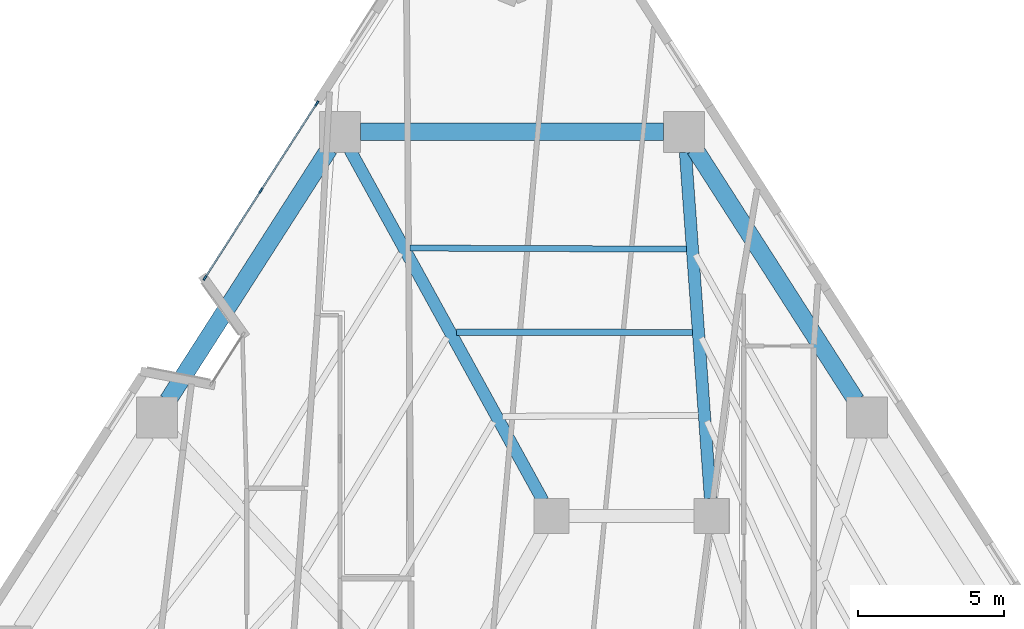
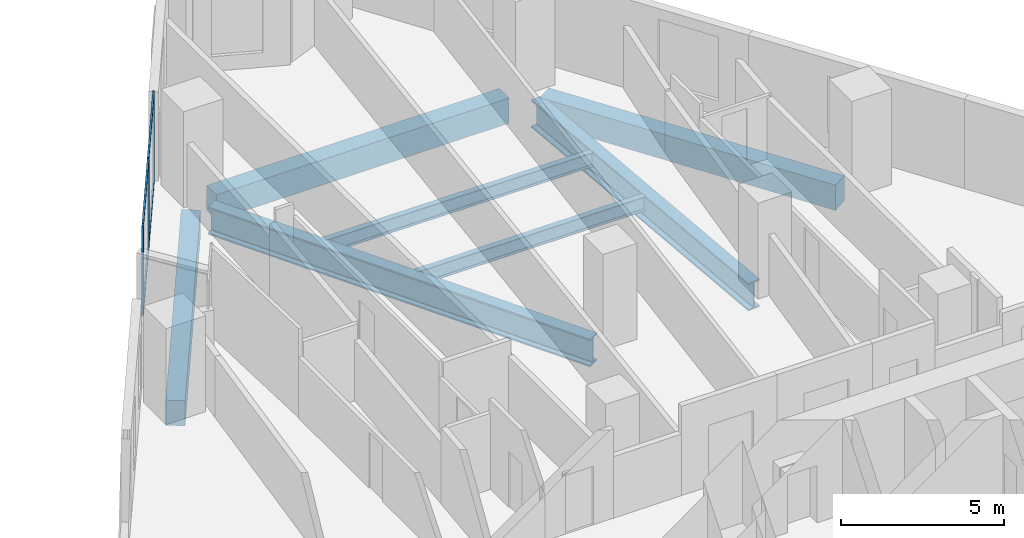
# One storey, part 5 of 14: 7 beams, 7 members, 1 element without a shape of its own.
"""IFC4 building model written with IfcOpenShell, lengths in metres."""

import ifcopenshell
import ifcopenshell.guid

model = None  # the IFC model being written
_history = None  # IfcOwnerHistory: only IFC2X3 demands one
_inside = {}  # id of a spatial element -> (the spatial element, [elements in it])
_under = {}  # id of a project, library or spatial element -> (it, [spatial elements below it])
_declared = {}  # id of a project -> (the project, [libraries it declares])
_typed = {}  # id of a type object -> (the type object, [elements of that type])
_made_of = {}  # id of a material, layer set ... -> (it, [elements and type objects made of it])


def new_model(schema):
    """Start an empty IFC model of exactly this schema.

    Asked for "IFC4X3", IfcOpenShell would pick the latest addendum, in which some entities
    have other attributes; the version numbers below select the first issue.
    IFC2X3 requires an IfcOwnerHistory on every rooted entity: one is made here for all.
    """
    global model, _history
    if schema == "IFC4X3":
        model = ifcopenshell.file(schema_version=(4, 3, 0, 0))
    else:
        model = ifcopenshell.file(schema=schema)
    _inside.clear()
    _under.clear()
    _declared.clear()
    _typed.clear()
    _made_of.clear()
    _history = None
    if model.schema == "IFC2X3":
        org = make("IfcOrganization", Name="unknown")
        user = make(
            "IfcPersonAndOrganization",
            ThePerson=make("IfcPerson", FamilyName="unknown"),
            TheOrganization=org,
        )
        app = make(
            "IfcApplication",
            ApplicationDeveloper=org,
            Version="unknown",
            ApplicationFullName="unknown",
            ApplicationIdentifier="unknown",
        )
        _history = make(
            "IfcOwnerHistory",
            OwningUser=user,
            OwningApplication=app,
            ChangeAction="ADDED",
            CreationDate=0,
        )
    return model


def make(cls, **values):
    """One entity of the class cls with the attributes given. An attribute that is None is left unset."""
    return model.create_entity(
        cls, **{name: value for name, value in values.items() if value is not None}
    )


def rooted(cls, **values):
    """An entity with a GlobalId (a new one), such as an element, a storey or a relation."""
    return make(cls, GlobalId=ifcopenshell.guid.new(), OwnerHistory=_history, **values)


def si_unit(unit_type, name, prefix=None):
    """IfcSIUnit, for example si_unit("LENGTHUNIT", "METRE", prefix="MILLI")."""
    return make("IfcSIUnit", UnitType=unit_type, Prefix=prefix, Name=name)


def assignment(units):
    """IfcUnitAssignment: the units of a project."""
    return None if units is None else make("IfcUnitAssignment", Units=units)


def point(xyz):
    """IfcCartesianPoint."""
    return None if xyz is None else make("IfcCartesianPoint", Coordinates=xyz)


def direction(xyz):
    """IfcDirection."""
    return None if xyz is None else make("IfcDirection", DirectionRatios=xyz)


def frame(location, z_axis=None, x_axis=None):
    """IfcAxis2Placement3D, a coordinate frame: its origin and axes. An axis left out is left unset."""
    return make(
        "IfcAxis2Placement3D",
        Location=point(location),
        Axis=direction(z_axis),
        RefDirection=direction(x_axis),
    )


def frame_2d(location, x_axis=None):
    """IfcAxis2Placement2D, a coordinate frame in the plane: its origin and x axis."""
    return make(
        "IfcAxis2Placement2D", Location=point(location), RefDirection=direction(x_axis)
    )


def origin():
    """The frame at (0, 0, 0) with its axes left unset."""
    return frame((0.0, 0.0, 0.0))


def origin_2d():
    """The frame at (0, 0) in the plane with its x axis left unset."""
    return frame_2d((0.0, 0.0))


def place(relative_to, where):
    """IfcLocalPlacement: puts the frame where relative to a parent placement (None: the world)."""
    return make(
        "IfcLocalPlacement", PlacementRelTo=relative_to, RelativePlacement=where
    )


def context(
    kind, dimensions, precision=None, world=None, true_north=None, identifier=None
):
    """IfcGeometricRepresentationContext, for example the 3D "Model" context."""
    return make(
        "IfcGeometricRepresentationContext",
        ContextIdentifier=identifier,
        ContextType=kind,
        CoordinateSpaceDimension=dimensions,
        Precision=precision,
        WorldCoordinateSystem=world,
        TrueNorth=true_north,
    )


def subcontext(parent, identifier, kind, view, scale=None):
    """IfcGeometricRepresentationSubContext, for example "Body" below "Model"."""
    return make(
        "IfcGeometricRepresentationSubContext",
        ContextIdentifier=identifier,
        ContextType=kind,
        ParentContext=parent,
        TargetScale=scale,
        TargetView=view,
    )


def project(units=None, contexts=None):
    """IfcProject with its units and contexts."""
    return rooted(
        "IfcProject",
        Name="project",
        RepresentationContexts=contexts,
        UnitsInContext=assignment(units),
    )


def spatial(cls, under=None, at=None, **own):
    """A site, building, storey or space (cls), placed at a placement, below another one or the project."""
    s = rooted(cls, ObjectPlacement=at, **own)
    if under is not None:
        _under.setdefault(under.id(), (under, []))[1].append(s)
    return s


def profile(cls, at=None, kind="AREA", **sizes):
    """A parametric profile (cls). Its sizes go by their IFC names, for example OverallWidth=200.0."""
    return make(cls, ProfileType=kind, Position=at, **sizes)


def rectangle(**sizes):
    """IfcRectangleProfileDef."""
    return profile("IfcRectangleProfileDef", **sizes)


def i_section(**sizes):
    """IfcIShapeProfileDef."""
    return profile("IfcIShapeProfileDef", **sizes)


def extrude(swept, where, along, depth):
    """IfcExtrudedAreaSolid: the profile swept, set in the frame where, extruded along a direction by depth."""
    return make(
        "IfcExtrudedAreaSolid",
        SweptArea=swept,
        Position=where,
        ExtrudedDirection=direction(along),
        Depth=depth,
    )


def shape(context_of_items, identifier, shape_type, items):
    """IfcShapeRepresentation: the items that make up one representation, for example the "Body"."""
    return make(
        "IfcShapeRepresentation",
        ContextOfItems=context_of_items,
        RepresentationIdentifier=identifier,
        RepresentationType=shape_type,
        Items=items,
    )


def material(Name=None, Category=None):
    """IfcMaterial."""
    return make("IfcMaterial", Name=Name, Category=Category)


def layer(
    of_material, thickness, ventilated=None, Name=None, Category=None, Priority=None
):
    """IfcMaterialLayer: one layer of a wall or slab, of a material (None: an air gap)."""
    return make(
        "IfcMaterialLayer",
        Material=of_material,
        LayerThickness=thickness,
        IsVentilated=ventilated,
        Name=Name,
        Category=Category,
        Priority=Priority,
    )


def layer_set(layers, Name=None):
    """IfcMaterialLayerSet."""
    return make("IfcMaterialLayerSet", MaterialLayers=layers, LayerSetName=Name)


def material_profile(
    of_material, cross_section, Name=None, Category=None, Priority=None
):
    """IfcMaterialProfile: a cross section and its material."""
    return make(
        "IfcMaterialProfile",
        Name=Name,
        Material=of_material,
        Profile=cross_section,
        Priority=Priority,
        Category=Category,
    )


def profile_set(profiles, Name=None, composite=None):
    """IfcMaterialProfileSet."""
    return make(
        "IfcMaterialProfileSet",
        Name=Name,
        MaterialProfiles=profiles,
        CompositeProfile=composite,
    )


def made_of(thing, what):
    """Note that an element or type object is made of a material, layer set ...; save() writes the relation."""
    if what is not None:
        _made_of.setdefault(what.id(), (what, []))[1].append(thing)
    return thing


def type_object(cls, material=None, **own):
    """A type object (cls), such as IfcWallType, which elements share."""
    return made_of(rooted(cls, **own), material)


def element(
    cls,
    number,
    at=None,
    inside=None,
    cuts=None,
    type_object=None,
    material=None,
    context=None,
    identifier="Body",
    shape_type=None,
    held_by="IfcProductDefinitionShape",
    body=None,
    shapes=None,
    **own,
):
    """One element of the class cls, such as IfcWall. Its Tag is "e" and its number.

    at: its placement. inside: the storey or other place that contains it. cuts: it is an
    opening in that element (IfcRelVoidsElement). A single representation is given by context,
    identifier, shape_type and body (its items); several are given by shapes. held_by: the class
    of the entity that holds the representations. save() writes the other relations.
    """
    e = rooted(cls, Tag="e%d" % number, ObjectPlacement=at, **own)
    if body is not None:
        shapes = [shape(context, identifier, shape_type, body)]
    if shapes is not None:
        e.Representation = make(held_by, Representations=shapes)
    if inside is not None:
        _inside.setdefault(inside.id(), (inside, []))[1].append(e)
    if cuts is not None:
        rooted(
            "IfcRelVoidsElement", RelatingBuildingElement=cuts, RelatedOpeningElement=e
        )
    if type_object is not None:
        _typed.setdefault(type_object.id(), (type_object, []))[1].append(e)
    return made_of(e, material)


def aggregate(whole, parts):
    """IfcRelAggregates: a whole, such as a stair, and the parts it consists of."""
    return rooted("IfcRelAggregates", RelatingObject=whole, RelatedObjects=parts)


def save(model, path):
    """Write the relations noted so far, then the file.

    IfcRelAggregates (storeys below a building ...), IfcRelContainedInSpatialStructure (elements
    in a storey), IfcRelDefinesByType, IfcRelAssociatesMaterial and IfcRelDeclares: one each for
    every whole, place, type object, material and project.
    """
    for whole, parts in _under.values():
        aggregate(whole, parts)
    for where, things in _inside.values():
        rooted(
            "IfcRelContainedInSpatialStructure",
            RelatedElements=things,
            RelatingStructure=where,
        )
    for kind, things in _typed.values():
        rooted("IfcRelDefinesByType", RelatedObjects=things, RelatingType=kind)
    for what, things in _made_of.values():
        rooted("IfcRelAssociatesMaterial", RelatedObjects=things, RelatingMaterial=what)
    for by, libraries in _declared.values():
        rooted("IfcRelDeclares", RelatingContext=by, RelatedDefinitions=libraries)
    model.write(path)


model = new_model("IFC4")

# Units and contexts
model_context = context("Model", 3, precision=1e-05, world=origin(), true_north=direction((0.0, 1.0)))
body_context = subcontext(model_context, "Body", "Model", "MODEL_VIEW")
ifc_project = project(units=[si_unit("LENGTHUNIT", "METRE"), si_unit("AREAUNIT", "SQUARE_METRE"), si_unit("VOLUMEUNIT", "CUBIC_METRE"), si_unit("PLANEANGLEUNIT", "RADIAN"), si_unit("MASSUNIT", "GRAM", prefix="KILO")], contexts=[model_context])

# Site, building, storey
site_placement = place(None, origin())
site = spatial("IfcSite", under=ifc_project, at=site_placement, CompositionType="ELEMENT")
building_placement = place(site_placement, origin())
building = spatial("IfcBuilding", under=site, at=building_placement, Name="Almagre Mirador Tower", CompositionType="ELEMENT")
storey_placement = place(building_placement, frame((0.0, 0.0, 46.199951171875)))
storey = spatial("IfcBuildingStorey", under=building, at=storey_placement, Name="L10", CompositionType="ELEMENT", Elevation=46.199951171875)

# Beams
ifc_material_1 = material(Name="Steel ASTM A992 Grade 50", Category="steel")
ifc_material_profile_1 = material_profile(ifc_material_1, i_section(OverallWidth=0.208984375, OverallDepth=0.532958984375, WebThickness=0.01025390625, FlangeThickness=0.015625, FilletRadius=0.01806640625, at=origin_2d()), Name="W21X62")
ifc_profile_set_1 = profile_set([ifc_material_profile_1], Name="Steel ASTM A992 Grade 50")
beam_type_1 = type_object("IfcBeamType", Name="BM-JST-W21X62", PredefinedType="JOIST", material=ifc_profile_set_1)
beam_1_placement = place(storey_placement, frame((41.979248046875, 35.350341796875, -0.516357421875), z_axis=(-0.999991504181, 0.004122082717, 0.0), x_axis=(-0.004122082717, -0.999991504181, 0.0)))
element("IfcBeam", 1, at=beam_1_placement, inside=storey, type_object=beam_type_1, Name="L10 secondary floor joist PC08-PC09.1", PredefinedType="JOIST", context=body_context, shape_type="SweptSolid", body=[
    extrude(i_section(OverallWidth=0.208984375, OverallDepth=0.532958984375, WebThickness=0.01025390625, FlangeThickness=0.015625, FilletRadius=0.01806640625, at=origin_2d()), origin(), (0.0, 0.0, 1.0), 9.476318359375),
])
beam_2_placement = place(storey_placement, frame((42.185302734375, 32.4990234375, -0.516357421875), z_axis=(-0.999999934481, 0.000361990927, 0.0), x_axis=(-0.000361990927, -0.999999934481, 0.0)))
element("IfcBeam", 2, at=beam_2_placement, inside=storey, type_object=beam_type_1, Name="L10 secondary floor joist PC08-PC09.2", PredefinedType="JOIST", context=body_context, shape_type="SweptSolid", body=[
    extrude(i_section(OverallWidth=0.208984375, OverallDepth=0.532958984375, WebThickness=0.01025390625, FlangeThickness=0.015625, FilletRadius=0.01806640625, at=origin_2d()), origin(), (0.0, 0.0, 1.0), 8.09326171875),
])
ifc_material_2 = material(Name="Precast concrete C50/60", Category="concrete")
ifc_material_profile_2 = material_profile(ifc_material_2, rectangle(XDim=0.60009765625, YDim=0.949951171875, at=origin_2d()), Name="RC600X950")
ifc_profile_set_2 = profile_set([ifc_material_profile_2], Name="Precast concrete C50/60")
beam_type_2 = type_object("IfcBeamType", Name="BM-SPN-RC600X950", PredefinedType="SPANDREL", material=ifc_profile_set_2)
beam_3_placement = place(storey_placement, frame((47.80029296875, 30.162353515625, -0.724853515625), z_axis=(-0.539538717329, 0.841960790359, 0.0), x_axis=(-0.841960790359, -0.539538717329, 0.0)))
element("IfcBeam", 3, at=beam_3_placement, inside=storey, type_object=beam_type_2, Name="L10 perimeter spandrel beam PC07-PC08", PredefinedType="SPANDREL", context=body_context, shape_type="SweptSolid", body=[
    extrude(rectangle(XDim=0.60009765625, YDim=0.949951171875, at=origin_2d()), origin(), (0.0, 0.0, 1.0), 10.239501953125),
])
beam_4_placement = place(storey_placement, frame((41.197998046875, 39.373046875, -0.724853515625), z_axis=(-1.0, 0.0, 0.0), x_axis=(0.0, -1.0, 0.0)))
element("IfcBeam", 4, at=beam_4_placement, inside=storey, type_object=beam_type_2, Name="L10 perimeter spandrel beam PC08-PC09", PredefinedType="SPANDREL", context=body_context, shape_type="SweptSolid", body=[
    extrude(rectangle(XDim=0.60009765625, YDim=0.949951171875, at=origin_2d()), origin(), (0.0, 0.0, 1.0), 10.39599609375),
])
beam_5_placement = place(storey_placement, frame((29.724365234375, 38.78369140625, -0.724853515625), z_axis=(-0.539538717329, -0.841960790359, 0.0), x_axis=(0.841960790359, -0.539538717329, 0.0)))
element("IfcBeam", 5, at=beam_5_placement, inside=storey, type_object=beam_type_2, Name="L10 perimeter spandrel beam PC09-PC10", PredefinedType="SPANDREL", context=body_context, shape_type="SweptSolid", body=[
    extrude(rectangle(XDim=0.60009765625, YDim=0.949951171875, at=origin_2d()), origin(), (0.0, 0.0, 1.0), 10.239501953125),
])
ifc_material_3 = material(Name="Steel ASTM A913 Grade 65", Category="steel")
ifc_material_profile_3 = material_profile(ifc_material_3, i_section(OverallWidth=0.4189453125, OverallDepth=1.041015625, WebThickness=0.031005859375, FlangeThickness=0.055908203125, FilletRadius=0.030029296875, at=origin_2d()), Name="W40X397")
ifc_profile_set_3 = profile_set([ifc_material_profile_3], Name="Steel ASTM A913 Grade 65")
beam_type_3 = type_object("IfcBeamType", Name="BM-STL-W40X397", PredefinedType="BEAM", material=ifc_profile_set_3)
beam_6_placement = place(storey_placement, frame((41.948486328125, 38.6748046875, -0.7705078125), z_axis=(0.072089216544, -0.997398187715, 0.0), x_axis=(0.997398187715, 0.072089216544, 0.0)))
element("IfcBeam", 6, at=beam_6_placement, inside=storey, type_object=beam_type_3, Name="L10 radial floor girder PC08-MC6", PredefinedType="BEAM", context=body_context, shape_type="SweptSolid", body=[
    extrude(i_section(OverallWidth=0.4189453125, OverallDepth=1.041015625, WebThickness=0.031005859375, FlangeThickness=0.055908203125, FilletRadius=0.030029296875, at=origin_2d()), origin(), (0.0, 0.0, 1.0), 11.907470703125),
])
beam_7_placement = place(storey_placement, frame((30.439453125, 38.759765625, -0.7705078125), z_axis=(0.482060666066, -0.876137839745, 0.0), x_axis=(0.876137839745, 0.482060666066, 0.0)))
element("IfcBeam", 7, at=beam_7_placement, inside=storey, type_object=beam_type_3, Name="L10 radial floor girder PC09-MC7", PredefinedType="BEAM", context=body_context, shape_type="SweptSolid", body=[
    extrude(i_section(OverallWidth=0.4189453125, OverallDepth=1.041015625, WebThickness=0.031005859375, FlangeThickness=0.055908203125, FilletRadius=0.030029296875, at=origin_2d()), origin(), (0.0, 0.0, 1.0), 13.735595703125),
])

# Curtain wall, members
ifc_material_4 = material(Name="Black anodized aluminium", Category="aluminium")
ifc_layer = layer(ifc_material_4, 0.18994140625)
ifc_layer_set = layer_set([ifc_layer], Name="Black anodized aluminium")
curtain_wall_type = type_object("IfcCurtainWallType", Name="CW-RES-L-SYS", PredefinedType="NOTDEFINED", material=ifc_layer_set)
curtain_wall_placement = place(storey_placement, origin())
curtain_wall = element("IfcCurtainWall", 8, at=curtain_wall_placement, inside=storey, type_object=curtain_wall_type, Name="L10 curtain wall run 02", PredefinedType="NOTDEFINED")
ifc_material_5 = material(Name="Black anodized aluminium", Category="aluminium")
ifc_material_profile_4 = material_profile(ifc_material_5, rectangle(XDim=0.06494140625, YDim=0.179931640625, at=origin_2d()), Name="CWM65X180")
ifc_profile_set_4 = profile_set([ifc_material_profile_4], Name="Black anodized aluminium")
member_type_1 = type_object("IfcMemberType", Name="MBR-CWM65X180", PredefinedType="MULLION", material=ifc_profile_set_4)
member_1_placement = place(storey_placement, frame((25.468505859375, 34.366455078125, 0.0), z_axis=(0.0, 0.0, 1.0), x_axis=(-0.841958682053, 0.539542007368, 0.0)))
member_1 = element("IfcMember", 9, at=member_1_placement, type_object=member_type_1, Name="CW-2 mullion 1", PredefinedType="MULLION", context=body_context, shape_type="SweptSolid", body=[
    extrude(rectangle(XDim=0.06494140625, YDim=0.179931640625, at=origin_2d()), origin(), (0.0, 0.0, 1.0), 3.35009765625),
])
member_2_placement = place(storey_placement, frame((27.38671875, 37.35986328125, 0.0), z_axis=(0.0, 0.0, 1.0), x_axis=(-0.841958682053, 0.539542007368, 0.0)))
member_2 = element("IfcMember", 10, at=member_2_placement, type_object=member_type_1, Name="CW-2 mullion 2", PredefinedType="MULLION", context=body_context, shape_type="SweptSolid", body=[
    extrude(rectangle(XDim=0.06494140625, YDim=0.179931640625, at=origin_2d()), origin(), (0.0, 0.0, 1.0), 3.35009765625),
])
member_3_placement = place(storey_placement, frame((29.304931640625, 40.35302734375, 0.0), z_axis=(0.0, 0.0, 1.0), x_axis=(-0.841958682053, 0.539542007368, 0.0)))
member_3 = element("IfcMember", 11, at=member_3_placement, type_object=member_type_1, Name="CW-2 mullion 3", PredefinedType="MULLION", context=body_context, shape_type="SweptSolid", body=[
    extrude(rectangle(XDim=0.06494140625, YDim=0.179931640625, at=origin_2d()), origin(), (0.0, 0.0, 1.0), 3.35009765625),
])
ifc_material_6 = material(Name="Black anodized aluminium", Category="aluminium")
ifc_material_profile_5 = material_profile(ifc_material_6, rectangle(XDim=0.06005859375, YDim=0.1298828125, at=origin_2d()), Name="CWT60X130")
ifc_profile_set_5 = profile_set([ifc_material_profile_5], Name="Black anodized aluminium")
member_type_2 = type_object("IfcMemberType", Name="MBR-CWT60X130", PredefinedType="USERDEFINED", material=ifc_profile_set_5)
member_4_placement = place(storey_placement, frame((25.486083984375, 34.393798828125, 0.030029296875), z_axis=(0.539547880268, 0.841954918567, 0.0), x_axis=(-0.841954918567, 0.539547880268, 0.0)))
member_4 = element("IfcMember", 12, at=member_4_placement, type_object=member_type_2, Name="CW-2 transom 1.1", ObjectType="TRANSOM", PredefinedType="USERDEFINED", context=body_context, shape_type="SweptSolid", body=[
    extrude(rectangle(XDim=0.06005859375, YDim=0.1298828125, at=origin_2d()), origin(), (0.0, 0.0, 1.0), 3.489990234375),
])
member_5_placement = place(storey_placement, frame((25.486083984375, 34.393798828125, 3.320068359375), z_axis=(0.539547880268, 0.841954918567, 0.0), x_axis=(-0.841954918567, 0.539547880268, 0.0)))
member_5 = element("IfcMember", 13, at=member_5_placement, type_object=member_type_2, Name="CW-2 transom 1.2", ObjectType="TRANSOM", PredefinedType="USERDEFINED", context=body_context, shape_type="SweptSolid", body=[
    extrude(rectangle(XDim=0.06005859375, YDim=0.1298828125, at=origin_2d()), origin(), (0.0, 0.0, 1.0), 3.489990234375),
])
member_6_placement = place(storey_placement, frame((27.404296875, 37.38720703125, 0.030029296875), z_axis=(0.539547880268, 0.841954918567, 0.0), x_axis=(-0.841954918567, 0.539547880268, 0.0)))
member_6 = element("IfcMember", 14, at=member_6_placement, type_object=member_type_2, Name="CW-2 transom 2.1", ObjectType="TRANSOM", PredefinedType="USERDEFINED", context=body_context, shape_type="SweptSolid", body=[
    extrude(rectangle(XDim=0.06005859375, YDim=0.1298828125, at=origin_2d()), origin(), (0.0, 0.0, 1.0), 3.489990234375),
])
member_7_placement = place(storey_placement, frame((27.404296875, 37.38720703125, 3.320068359375), z_axis=(0.539547880268, 0.841954918567, 0.0), x_axis=(-0.841954918567, 0.539547880268, 0.0)))
member_7 = element("IfcMember", 15, at=member_7_placement, type_object=member_type_2, Name="CW-2 transom 2.2", ObjectType="TRANSOM", PredefinedType="USERDEFINED", context=body_context, shape_type="SweptSolid", body=[
    extrude(rectangle(XDim=0.06005859375, YDim=0.1298828125, at=origin_2d()), origin(), (0.0, 0.0, 1.0), 3.489990234375),
])
aggregate(curtain_wall, [member_1, member_2, member_3, member_4, member_5, member_6, member_7])

save(model, "model.ifc")
